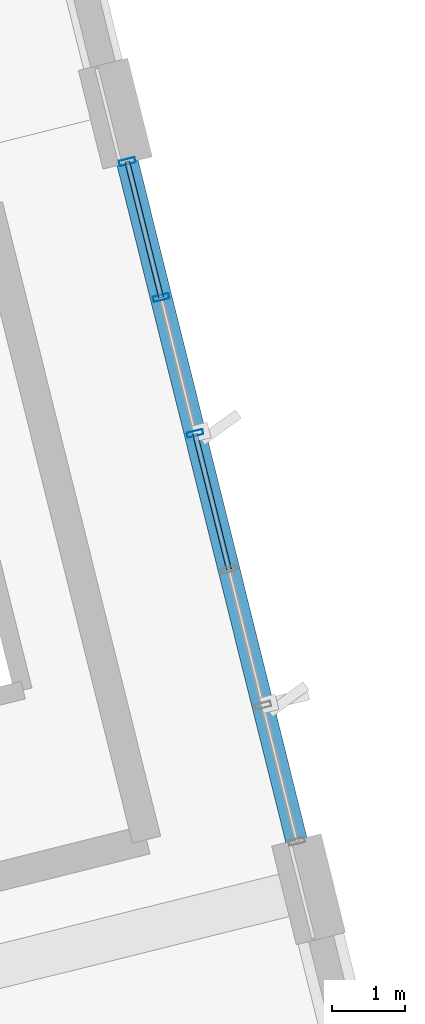
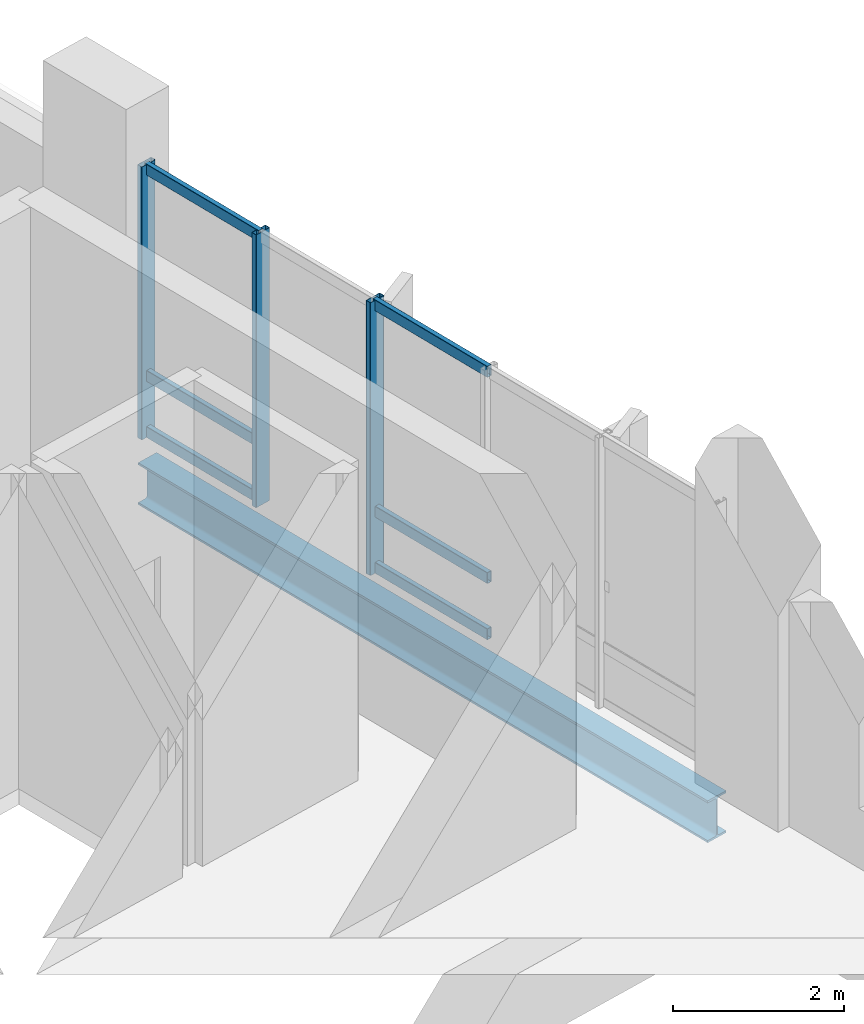
# One storey, part 81 of 137: 9 members, 1 beam, 1 element without a shape of its own.
"""IFC4 building model written with IfcOpenShell, lengths in metres."""

from ifc_helpers import new_model, si_unit, direction, frame, origin, origin_2d, place, context, subcontext, project, spatial, hollow_rectangle, i_section, extrude, material, layer, layer_set, material_profile, profile_set, type_object, element, aggregate, save


model = new_model("IFC4")

# Units and contexts
model_context = context("Model", 3, precision=1e-05, world=origin(), true_north=direction((0.0, 1.0)))
body_context = subcontext(model_context, "Body", "Model", "MODEL_VIEW")
ifc_project = project(units=[si_unit("LENGTHUNIT", "METRE"), si_unit("AREAUNIT", "SQUARE_METRE"), si_unit("VOLUMEUNIT", "CUBIC_METRE"), si_unit("PLANEANGLEUNIT", "RADIAN"), si_unit("MASSUNIT", "GRAM", prefix="KILO")], contexts=[model_context])

# Site, building, storey
site_placement = place(None, origin())
site = spatial("IfcSite", under=ifc_project, at=site_placement, CompositionType="ELEMENT")
building_placement = place(site_placement, origin())
building = spatial("IfcBuilding", under=site, at=building_placement, Name="Khorjan Park Terminus", CompositionType="ELEMENT")
storey_placement = place(building_placement, frame((0.0, 0.0, 11.4)))
storey = spatial("IfcBuildingStorey", under=building, at=storey_placement, Name="L02", CompositionType="ELEMENT", Elevation=11.4)

# Beam
ifc_material_1 = material(Name="Steel S355", Category="steel")
ifc_material_profile_1 = material_profile(ifc_material_1, i_section(OverallWidth=0.3, OverallDepth=0.6, WebThickness=0.0155, FlangeThickness=0.03, FilletRadius=0.027, at=origin_2d()), Name="HEB 600")
ifc_profile_set_1 = profile_set([ifc_material_profile_1], Name="Steel S355")
beam_type = type_object("IfcBeamType", Name="BM-HEB600", PredefinedType="BEAM", material=ifc_profile_set_1)
beam_placement = place(storey_placement, frame((224.5491, 39.9877, -0.65), z_axis=(-0.241925915978, 0.970294723874, 0.0), x_axis=(-0.970294723874, -0.241925915978, 0.0)))
element("IfcBeam", 1, at=beam_placement, inside=storey, type_object=beam_type, Name="Primary skew-grid floor girder SB-B60 (L02)", PredefinedType="BEAM", context=body_context, shape_type="SweptSolid", body=[
    extrude(i_section(OverallWidth=0.3, OverallDepth=0.6, WebThickness=0.0155, FlangeThickness=0.03, FilletRadius=0.027, at=origin_2d()), origin(), (0.0, 0.0, 1.0), 9.61),
])

# Curtain wall, members
ifc_material_2 = material(Name="Anodized Bronze Aluminium", Category="aluminium")
ifc_layer = layer(ifc_material_2, 0.22)
ifc_layer_set = layer_set([ifc_layer], Name="Anodized Bronze Aluminium")
curtain_wall_type = type_object("IfcCurtainWallType", Name="CW-OPS-B", PredefinedType="NOTDEFINED", material=ifc_layer_set)
curtain_wall_placement = place(storey_placement, origin())
curtain_wall = element("IfcCurtainWall", 2, at=curtain_wall_placement, inside=storey, type_object=curtain_wall_type, Name="Unitized curtain wall CW-B (CW-V5-E-L02-B03)", PredefinedType="NOTDEFINED")
ifc_material_profile_2 = material_profile(ifc_material_2, hollow_rectangle(XDim=0.075, YDim=0.225, WallThickness=0.005, InnerFilletRadius=0.005, OuterFilletRadius=0.01, at=origin_2d()), Name="ALM 75x225x5")
ifc_profile_set_2 = profile_set([ifc_material_profile_2], Name="Anodized Bronze Aluminium")
member_type_1 = type_object("IfcMemberType", Name="ML-ALM-225", PredefinedType="MULLION", material=ifc_profile_set_2)
member_1_placement = place(storey_placement, frame((223.1534, 45.5855, -0.035), z_axis=(0.0, 0.0, 1.0), x_axis=(-0.241922975976, 0.970295456907, 0.0)))
member_1 = element("IfcMember", 3, at=member_1_placement, type_object=member_type_1, Name="Curtain-wall mullion ML-22 (CW-V5-E-L02-B03-3)", PredefinedType="MULLION", context=body_context, shape_type="SweptSolid", body=[
    extrude(hollow_rectangle(XDim=0.075, YDim=0.225, WallThickness=0.005, InnerFilletRadius=0.005, OuterFilletRadius=0.01, at=origin_2d()), origin(), (0.0, 0.0, 1.0), 3.905),
])
member_2_placement = place(storey_placement, frame((222.687, 47.4563, -0.035), z_axis=(0.0, 0.0, 1.0), x_axis=(-0.241922975976, 0.970295456907, 0.0)))
member_2 = element("IfcMember", 4, at=member_2_placement, type_object=member_type_1, Name="Curtain-wall mullion ML-22 (CW-V5-E-L02-B03-4)", PredefinedType="MULLION", context=body_context, shape_type="SweptSolid", body=[
    extrude(hollow_rectangle(XDim=0.075, YDim=0.225, WallThickness=0.005, InnerFilletRadius=0.005, OuterFilletRadius=0.01, at=origin_2d()), origin(), (0.0, 0.0, 1.0), 3.905),
])
member_3_placement = place(storey_placement, frame((222.2205, 49.3272, -0.035), z_axis=(0.0, 0.0, 1.0), x_axis=(-0.241922975976, 0.970295456907, 0.0)))
member_3 = element("IfcMember", 5, at=member_3_placement, type_object=member_type_1, Name="Curtain-wall mullion ML-22 (CW-V5-E-L02-B03-5)", PredefinedType="MULLION", context=body_context, shape_type="SweptSolid", body=[
    extrude(hollow_rectangle(XDim=0.075, YDim=0.225, WallThickness=0.005, InnerFilletRadius=0.005, OuterFilletRadius=0.01, at=origin_2d()), origin(), (0.0, 0.0, 1.0), 3.905),
])
ifc_material_profile_3 = material_profile(ifc_material_2, hollow_rectangle(XDim=0.07, YDim=0.16, WallThickness=0.004, InnerFilletRadius=0.004, OuterFilletRadius=0.008, at=origin_2d()), Name="ALT 70x160x4")
ifc_profile_set_3 = profile_set([ifc_material_profile_3], Name="Anodized Bronze Aluminium")
member_type_2 = type_object("IfcMemberType", Name="TR-ALT-160", PredefinedType="USERDEFINED", material=ifc_profile_set_3)
member_4_placement = place(storey_placement, frame((223.6199, 43.7146, 0.04), z_axis=(-0.241937637138, 0.970291801334, 0.0), x_axis=(-0.970291801334, -0.241937637138, 0.0)))
member_4 = element("IfcMember", 6, at=member_4_placement, type_object=member_type_2, Name="Curtain-wall transom TR-16 (CW-V5-E-L02-B03-2-1)", ObjectType="TRANSOM", PredefinedType="USERDEFINED", context=body_context, shape_type="SweptSolid", body=[
    extrude(hollow_rectangle(XDim=0.07, YDim=0.16, WallThickness=0.004, InnerFilletRadius=0.004, OuterFilletRadius=0.008, at=origin_2d()), origin(), (0.0, 0.0, 1.0), 1.9282),
])
member_5_placement = place(storey_placement, frame((223.6199, 43.7146, 0.844), z_axis=(-0.241937637138, 0.970291801334, 0.0), x_axis=(-0.970291801334, -0.241937637138, 0.0)))
member_5 = element("IfcMember", 7, at=member_5_placement, type_object=member_type_2, Name="Curtain-wall transom TR-16 (CW-V5-E-L02-B03-2-2)", ObjectType="TRANSOM", PredefinedType="USERDEFINED", context=body_context, shape_type="SweptSolid", body=[
    extrude(hollow_rectangle(XDim=0.07, YDim=0.16, WallThickness=0.004, InnerFilletRadius=0.004, OuterFilletRadius=0.008, at=origin_2d()), origin(), (0.0, 0.0, 1.0), 1.9282),
])
member_6_placement = place(storey_placement, frame((223.6199, 43.7146, 3.795), z_axis=(-0.241937637138, 0.970291801334, 0.0), x_axis=(-0.970291801334, -0.241937637138, 0.0)))
member_6 = element("IfcMember", 8, at=member_6_placement, type_object=member_type_2, Name="Curtain-wall transom TR-16 (CW-V5-E-L02-B03-2-3)", ObjectType="TRANSOM", PredefinedType="USERDEFINED", context=body_context, shape_type="SweptSolid", body=[
    extrude(hollow_rectangle(XDim=0.07, YDim=0.16, WallThickness=0.004, InnerFilletRadius=0.004, OuterFilletRadius=0.008, at=origin_2d()), origin(), (0.0, 0.0, 1.0), 1.9282),
])
member_7_placement = place(storey_placement, frame((222.687, 47.4563, 0.04), z_axis=(-0.241937637138, 0.970291801334, 0.0), x_axis=(-0.970291801334, -0.241937637138, 0.0)))
member_7 = element("IfcMember", 9, at=member_7_placement, type_object=member_type_2, Name="Curtain-wall transom TR-16 (CW-V5-E-L02-B03-4-1)", ObjectType="TRANSOM", PredefinedType="USERDEFINED", context=body_context, shape_type="SweptSolid", body=[
    extrude(hollow_rectangle(XDim=0.07, YDim=0.16, WallThickness=0.004, InnerFilletRadius=0.004, OuterFilletRadius=0.008, at=origin_2d()), origin(), (0.0, 0.0, 1.0), 1.9282),
])
member_8_placement = place(storey_placement, frame((222.687, 47.4563, 0.844), z_axis=(-0.241937637138, 0.970291801334, 0.0), x_axis=(-0.970291801334, -0.241937637138, 0.0)))
member_8 = element("IfcMember", 10, at=member_8_placement, type_object=member_type_2, Name="Curtain-wall transom TR-16 (CW-V5-E-L02-B03-4-2)", ObjectType="TRANSOM", PredefinedType="USERDEFINED", context=body_context, shape_type="SweptSolid", body=[
    extrude(hollow_rectangle(XDim=0.07, YDim=0.16, WallThickness=0.004, InnerFilletRadius=0.004, OuterFilletRadius=0.008, at=origin_2d()), origin(), (0.0, 0.0, 1.0), 1.9282),
])
member_9_placement = place(storey_placement, frame((222.687, 47.4563, 3.795), z_axis=(-0.241937637138, 0.970291801334, 0.0), x_axis=(-0.970291801334, -0.241937637138, 0.0)))
member_9 = element("IfcMember", 11, at=member_9_placement, type_object=member_type_2, Name="Curtain-wall transom TR-16 (CW-V5-E-L02-B03-4-3)", ObjectType="TRANSOM", PredefinedType="USERDEFINED", context=body_context, shape_type="SweptSolid", body=[
    extrude(hollow_rectangle(XDim=0.07, YDim=0.16, WallThickness=0.004, InnerFilletRadius=0.004, OuterFilletRadius=0.008, at=origin_2d()), origin(), (0.0, 0.0, 1.0), 1.9282),
])
aggregate(curtain_wall, [member_1, member_2, member_3, member_4, member_5, member_6, member_7, member_8, member_9])

save(model, "model.ifc")
